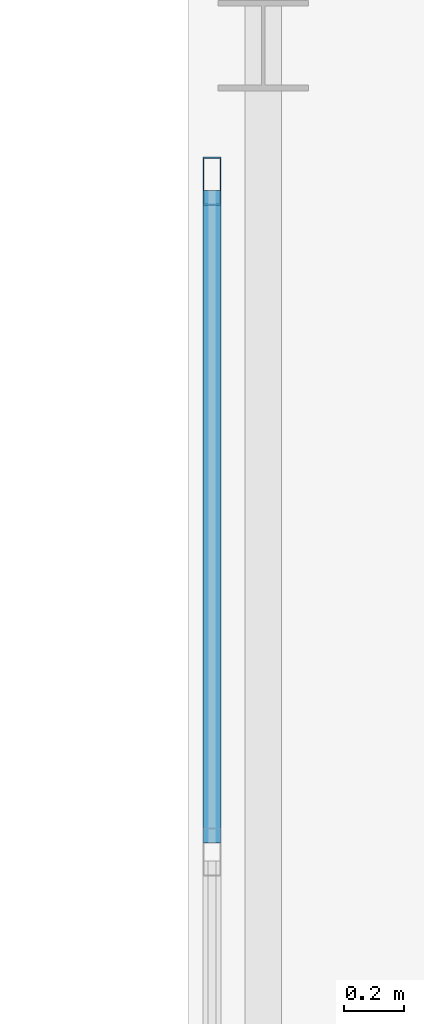
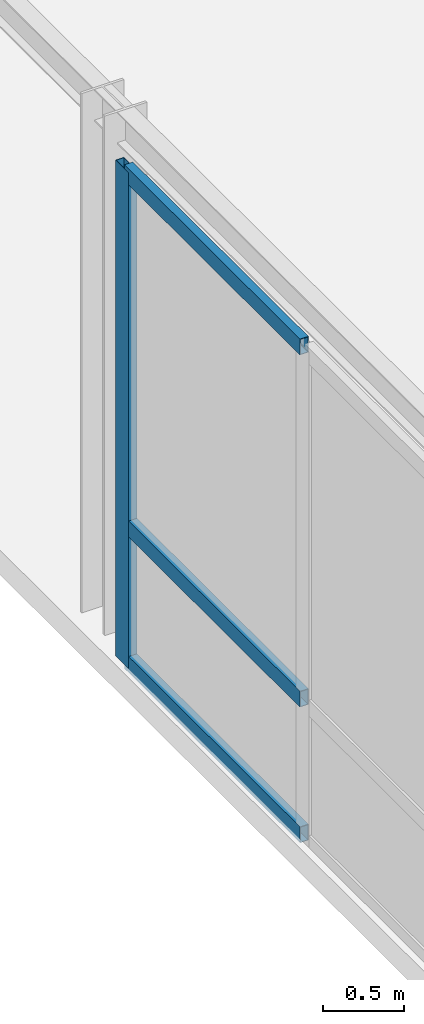
# One storey, part 128 of 189: 4 members, 1 element without a shape of its own.
"""IFC4 building model written with IfcOpenShell, lengths in metres."""

from ifc_helpers import new_model, si_unit, direction, frame, origin, origin_2d, place, context, subcontext, project, spatial, hollow_rectangle, extrude, material, layer, layer_set, material_profile, profile_set, type_object, element, aggregate, save


model = new_model("IFC4")

# Units and contexts
model_context = context("Model", 3, precision=1e-05, world=origin(), true_north=direction((0.0, 1.0)))
body_context = subcontext(model_context, "Body", "Model", "MODEL_VIEW")
ifc_project = project(units=[si_unit("LENGTHUNIT", "METRE"), si_unit("AREAUNIT", "SQUARE_METRE"), si_unit("VOLUMEUNIT", "CUBIC_METRE"), si_unit("PLANEANGLEUNIT", "RADIAN"), si_unit("MASSUNIT", "GRAM", prefix="KILO")], contexts=[model_context])

# Site, building, storey
site_placement = place(None, origin())
site = spatial("IfcSite", under=ifc_project, at=site_placement, CompositionType="ELEMENT")
building_placement = place(site_placement, origin())
building = spatial("IfcBuilding", under=site, at=building_placement, Name="Montecoro Central Library", CompositionType="ELEMENT")
storey_placement = place(building_placement, frame((0.0, 0.0, 9.179931640625)))
storey = spatial("IfcBuildingStorey", under=building, at=storey_placement, Name="L02", CompositionType="ELEMENT", Elevation=9.179931640625)

# Curtain wall, members
ifc_material_1 = material(Name="Bronze-anodised aluminium and low-E glazing", Category="aluminium")
ifc_layer = layer(ifc_material_1, 0.159912109375)
ifc_layer_set = layer_set([ifc_layer], Name="Bronze-anodised aluminium and low-E glazing")
curtain_wall_type = type_object("IfcCurtainWallType", Name="CWT-086", PredefinedType="NOTDEFINED", material=ifc_layer_set)
curtain_wall_placement = place(storey_placement, origin())
curtain_wall = element("IfcCurtainWall", 1, at=curtain_wall_placement, inside=storey, type_object=curtain_wall_type, Name="BR-E-L02-CW-W2", PredefinedType="NOTDEFINED")
ifc_material_2 = material(Name="Bronze-anodised aluminium", Category="aluminium")
ifc_material_profile_1 = material_profile(ifc_material_2, hollow_rectangle(XDim=0.06005859375, YDim=0.159912109375, WallThickness=0.00390625, at=origin_2d()), Name="CWM 160x60x4.0")
ifc_profile_set_1 = profile_set([ifc_material_profile_1], Name="Bronze-anodised aluminium")
member_type_1 = type_object("IfcMemberType", Name="CWM-BRZ-60", PredefinedType="MULLION", material=ifc_profile_set_1)
member_1_placement = place(storey_placement, frame((154.080078125, 65.35009765625, 0.0), z_axis=(0.0, 0.0, 1.0), x_axis=(-1.0, 0.0, 0.0)))
member_1 = element("IfcMember", 2, at=member_1_placement, type_object=member_type_1, Name="CW-086 mullion 4", PredefinedType="MULLION", context=body_context, shape_type="SweptSolid", body=[
    extrude(hollow_rectangle(XDim=0.06005859375, YDim=0.159912109375, WallThickness=0.00390625, at=origin_2d()), origin(), (0.0, 0.0, 1.0), 3.72998046875),
])
ifc_material_profile_2 = material_profile(ifc_material_2, hollow_rectangle(XDim=0.06005859375, YDim=0.1201171875, WallThickness=0.00390625, at=origin_2d()), Name="CWT 120x60x4.0")
ifc_profile_set_2 = profile_set([ifc_material_profile_2], Name="Bronze-anodised aluminium")
member_type_2 = type_object("IfcMemberType", Name="CWT-BRZ-60", PredefinedType="USERDEFINED", material=ifc_profile_set_2)
member_2_placement = place(storey_placement, frame((154.080078125, 63.15673828125, 0.030029296875), z_axis=(0.0, 1.0, 0.0), x_axis=(-1.0, 0.0, 0.0)))
member_2 = element("IfcMember", 3, at=member_2_placement, type_object=member_type_2, Name="CW-086 transom 3.1", ObjectType="TRANSOM", PredefinedType="USERDEFINED", context=body_context, shape_type="SweptSolid", body=[
    extrude(hollow_rectangle(XDim=0.06005859375, YDim=0.1201171875, WallThickness=0.00390625, at=origin_2d()), origin(), (0.0, 0.0, 1.0), 2.163330078125),
])
member_3_placement = place(storey_placement, frame((154.080078125, 63.15673828125, 1.050048828125), z_axis=(0.0, 1.0, 0.0), x_axis=(-1.0, 0.0, 0.0)))
member_3 = element("IfcMember", 4, at=member_3_placement, type_object=member_type_2, Name="CW-086 transom 3.2", ObjectType="TRANSOM", PredefinedType="USERDEFINED", context=body_context, shape_type="SweptSolid", body=[
    extrude(hollow_rectangle(XDim=0.06005859375, YDim=0.1201171875, WallThickness=0.00390625, at=origin_2d()), origin(), (0.0, 0.0, 1.0), 2.163330078125),
])
member_4_placement = place(storey_placement, frame((154.080078125, 63.15673828125, 3.699951171875), z_axis=(0.0, 1.0, 0.0), x_axis=(-1.0, 0.0, 0.0)))
member_4 = element("IfcMember", 5, at=member_4_placement, type_object=member_type_2, Name="CW-086 transom 3.3", ObjectType="TRANSOM", PredefinedType="USERDEFINED", context=body_context, shape_type="SweptSolid", body=[
    extrude(hollow_rectangle(XDim=0.06005859375, YDim=0.1201171875, WallThickness=0.00390625, at=origin_2d()), origin(), (0.0, 0.0, 1.0), 2.163330078125),
])
aggregate(curtain_wall, [member_1, member_2, member_3, member_4])

save(model, "model.ifc")
